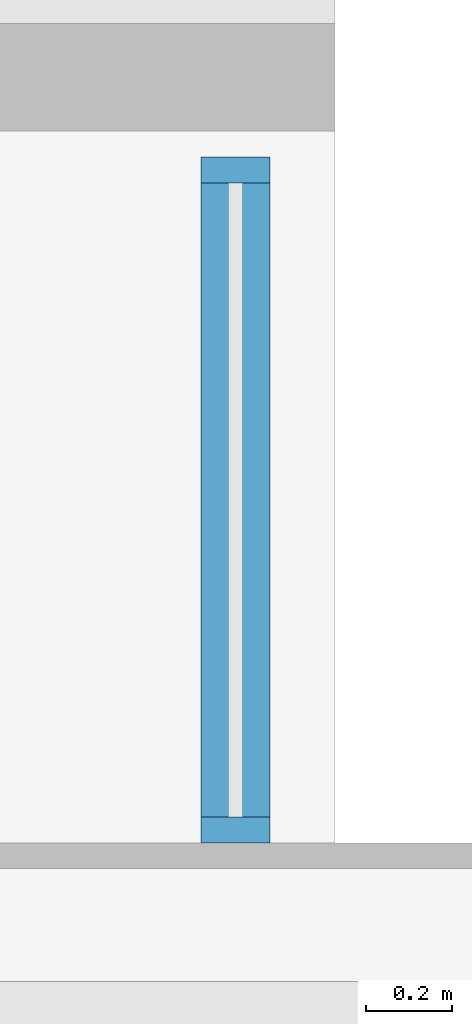
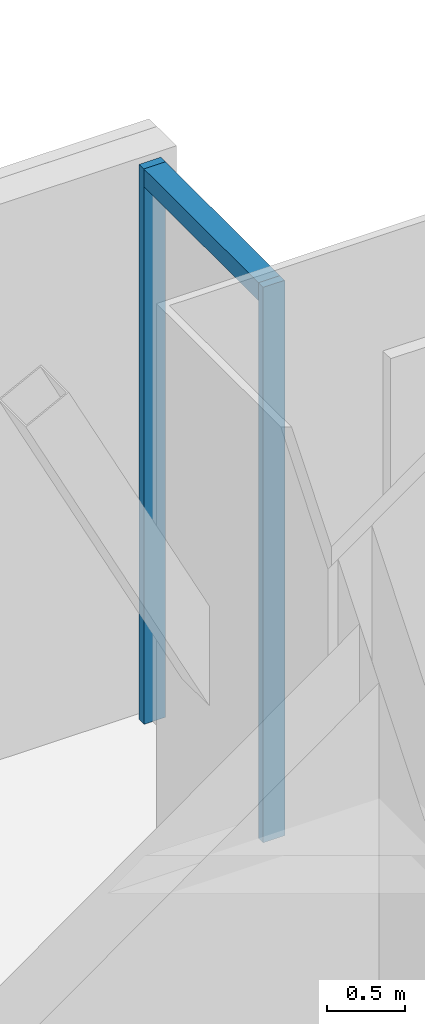
# One storey, part 14 of 22: 3 members, 1 element without a shape of its own.
"""IFC4 building model written with IfcOpenShell, lengths in metres."""

from ifc_helpers import new_model, si_unit, direction, frame, origin, origin_2d, place, context, subcontext, project, spatial, rectangle, extrude, material, material_profile, profile_set, type_object, element, aggregate, save


model = new_model("IFC4")

# Units and contexts
model_context = context("Model", 3, precision=1e-05, world=origin(), true_north=direction((0.0, 1.0)))
body_context = subcontext(model_context, "Body", "Model", "MODEL_VIEW")
ifc_project = project(units=[si_unit("LENGTHUNIT", "METRE"), si_unit("AREAUNIT", "SQUARE_METRE"), si_unit("VOLUMEUNIT", "CUBIC_METRE"), si_unit("PLANEANGLEUNIT", "RADIAN"), si_unit("MASSUNIT", "GRAM", prefix="KILO")], contexts=[model_context])

# Site, building, storey
site_placement = place(None, origin())
site = spatial("IfcSite", under=ifc_project, at=site_placement, CompositionType="ELEMENT")
building_placement = place(site_placement, origin())
building = spatial("IfcBuilding", under=site, at=building_placement, Name="Bicima Exchange Tower", CompositionType="ELEMENT")
storey_placement = place(building_placement, frame((0.0, 0.0, 293.0)))
storey = spatial("IfcBuildingStorey", under=building, at=storey_placement, Name="L66", CompositionType="ELEMENT", Elevation=293.0)

# Curtain wall, members
ifc_material = material(Name="Anodised bronze aluminium", Category="aluminium")
curtain_wall_type = type_object("IfcCurtainWallType", Name="Front glass wall", PredefinedType="NOTDEFINED", material=ifc_material)
curtain_wall_placement = place(storey_placement, origin())
curtain_wall = element("IfcCurtainWall", 1, at=curtain_wall_placement, inside=storey, type_object=curtain_wall_type, Name="Front glass wall L66 run 20", PredefinedType="NOTDEFINED")
ifc_material_profile_1 = material_profile(ifc_material, rectangle(XDim=0.159912109375, YDim=0.06005859375, at=origin_2d()))
ifc_profile_set_1 = profile_set([ifc_material_profile_1], Name="Anodised bronze aluminium")
member_type_1 = type_object("IfcMemberType", Name="Front glass wall mullion 60 x 160", PredefinedType="MULLION", material=ifc_profile_set_1)
member_1_placement = place(storey_placement, frame((32.77001953125, -1.8701171875, 0.0), z_axis=(0.0, 0.0, 1.0), x_axis=(-1.0, 0.0, 0.0)))
member_1 = element("IfcMember", 2, at=member_1_placement, type_object=member_type_1, Name="Front glass wall mullion 1", PredefinedType="MULLION", context=body_context, shape_type="SweptSolid", body=[
    extrude(rectangle(XDim=0.159912109375, YDim=0.06005859375, at=origin_2d()), origin(), (0.0, 0.0, 1.0), 4.35009765625),
])
member_2_placement = place(storey_placement, frame((32.77001953125, -0.340087890625, 0.0), z_axis=(0.0, 0.0, 1.0), x_axis=(-1.0, 0.0, 0.0)))
member_2 = element("IfcMember", 3, at=member_2_placement, type_object=member_type_1, Name="Front glass wall mullion 2", PredefinedType="MULLION", context=body_context, shape_type="SweptSolid", body=[
    extrude(rectangle(XDim=0.159912109375, YDim=0.06005859375, at=origin_2d()), origin(), (0.0, 0.0, 1.0), 4.35009765625),
])
ifc_material_profile_2 = material_profile(ifc_material, rectangle(XDim=0.159912109375, YDim=0.139892578125, at=origin_2d()))
ifc_profile_set_2 = profile_set([ifc_material_profile_2], Name="Anodised bronze aluminium")
member_type_2 = type_object("IfcMemberType", Name="Front glass wall transom 140 x 160", PredefinedType="USERDEFINED", material=ifc_profile_set_2)
member_3_placement = place(storey_placement, frame((32.77001953125, -1.840087890625, 4.280029296875), z_axis=(0.0, 1.0, 0.0), x_axis=(-1.0, 0.0, 0.0)))
member_3 = element("IfcMember", 4, at=member_3_placement, type_object=member_type_2, Name="Front glass wall transom 1.1", ObjectType="TRANSOM", PredefinedType="USERDEFINED", context=body_context, shape_type="SweptSolid", body=[
    extrude(rectangle(XDim=0.159912109375, YDim=0.139892578125, at=origin_2d()), origin(), (0.0, 0.0, 1.0), 1.469970703125),
])
aggregate(curtain_wall, [member_1, member_2, member_3])

save(model, "model.ifc")
